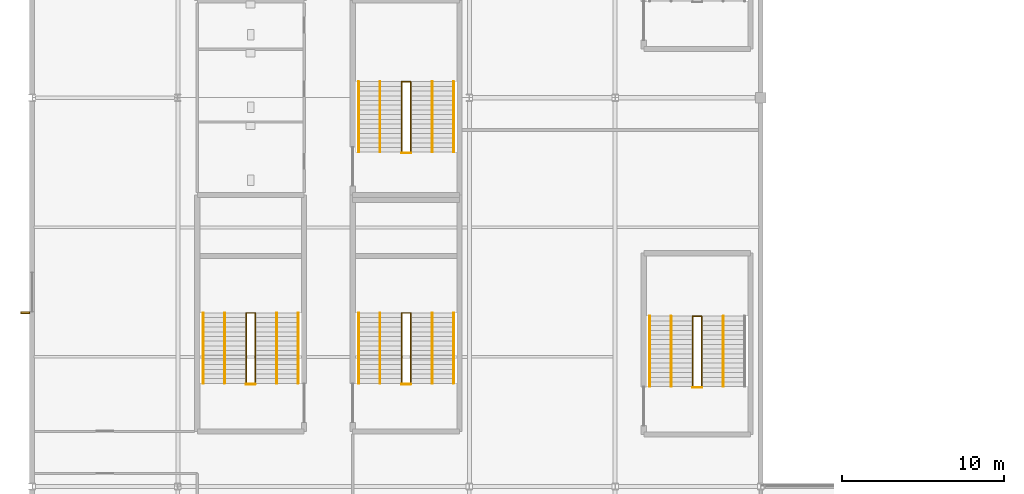
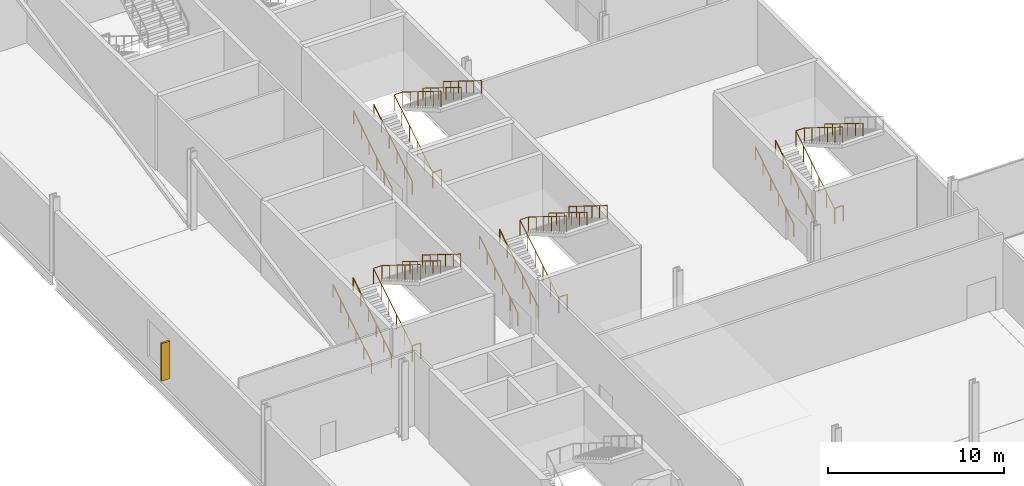
# One storey, part 97 of 113: 23 railings, 1 shading device.
"""IFC4 building model written with IfcOpenShell, lengths in metres."""

from ifc_helpers import new_model, si_unit, direction, frame, origin, origin_2d, place, context, subcontext, project, spatial, rectangle, circle, extrude, material, type_object, element, save


model = new_model("IFC4")

# Units and contexts
model_context = context("Model", 3, precision=1e-05, world=origin(), true_north=direction((0.0, 1.0)))
body_context = subcontext(model_context, "Body", "Model", "MODEL_VIEW")
ifc_project = project(units=[si_unit("LENGTHUNIT", "METRE"), si_unit("AREAUNIT", "SQUARE_METRE"), si_unit("VOLUMEUNIT", "CUBIC_METRE"), si_unit("PLANEANGLEUNIT", "RADIAN"), si_unit("MASSUNIT", "GRAM", prefix="KILO")], contexts=[model_context])

# Site, building, storey
site_placement = place(None, origin())
site = spatial("IfcSite", under=ifc_project, at=site_placement, CompositionType="ELEMENT")
building_placement = place(site_placement, origin())
building = spatial("IfcBuilding", under=site, at=building_placement, Name="Kisiwana Market Hall", CompositionType="ELEMENT")
storey_placement = place(building_placement, frame((0.0, 0.0, 6.0)))
storey = spatial("IfcBuildingStorey", under=building, at=storey_placement, Name="L01", CompositionType="ELEMENT", Elevation=6.0)

# Railings
ifc_material_1 = material(Name="Steel S275", Category="steel")
railing_type_1 = type_object("IfcRailingType", Name="RL-GUARD-1100", PredefinedType="GUARDRAIL", material=ifc_material_1)
railing_1_placement = place(storey_placement, frame((13.219970703125, 42.360107421875, 0.0)))
element("IfcRailing", 1, at=railing_1_placement, inside=storey, type_object=railing_type_1, Name="Stair ST-W3-L01 inner-well guardrail (RL-343)", PredefinedType="GUARDRAIL", context=body_context, shape_type="SweptSolid", body=[
    extrude(circle(Radius=0.02392578125, at=origin_2d()), frame((0.0, 0.0, 1.076171875), z_axis=(0.0, 0.849636482215, 0.527368797038), x_axis=(-1.0, 0.0, 0.0)), (0.0, 0.0, 1.0), 5.11962890625),
    extrude(circle(Radius=0.02392578125, at=origin_2d()), frame((0.0, 4.349853515625, 3.77587890625), z_axis=(1.0, 0.0, 0.0), x_axis=(0.0, 1.0, 0.0)), (0.0, 0.0, 1.0), 0.56005859375),
    extrude(circle(Radius=0.02392578125, at=origin_2d()), frame((0.56005859375, 4.349853515625, 3.77587890625), z_axis=(0.0, -0.849636482215, 0.527368797038), x_axis=(1.0, 0.0, 0.0)), (0.0, 0.0, 1.0), 5.11962890625),
    extrude(circle(Radius=0.02099609375, at=origin_2d()), origin(), (0.0, 0.0, 1.0), 1.052001953125),
    extrude(circle(Radius=0.02099609375, at=origin_2d()), frame((0.0, 0.869873046875, 0.5400390625)), (0.0, 0.0, 1.0), 1.052001953125),
    extrude(circle(Radius=0.02099609375, at=origin_2d()), frame((0.0, 1.739990234375, 1.080078125)), (0.0, 0.0, 1.0), 1.052001953125),
    extrude(circle(Radius=0.02099609375, at=origin_2d()), frame((0.0, 2.60986328125, 1.619873046875)), (0.0, 0.0, 1.0), 1.052001953125),
    extrude(circle(Radius=0.02099609375, at=origin_2d()), frame((0.0, 3.47998046875, 2.159912109375)), (0.0, 0.0, 1.0), 1.052001953125),
    extrude(circle(Radius=0.02099609375, at=origin_2d()), frame((0.0, 4.349853515625, 2.699951171875)), (0.0, 0.0, 1.0), 1.052001953125),
    extrude(circle(Radius=0.02099609375, at=origin_2d()), frame((0.56005859375, 4.349853515625, 2.699951171875)), (0.0, 0.0, 1.0), 1.052001953125),
    extrude(circle(Radius=0.02099609375, at=origin_2d()), frame((0.56005859375, 3.47998046875, 3.239990234375)), (0.0, 0.0, 1.0), 1.052001953125),
    extrude(circle(Radius=0.02099609375, at=origin_2d()), frame((0.56005859375, 2.60986328125, 3.780029296875)), (0.0, 0.0, 1.0), 1.052001953125),
    extrude(circle(Radius=0.02099609375, at=origin_2d()), frame((0.56005859375, 1.739990234375, 4.31982421875)), (0.0, 0.0, 1.0), 1.052001953125),
    extrude(circle(Radius=0.02099609375, at=origin_2d()), frame((0.56005859375, 0.869873046875, 4.85986328125)), (0.0, 0.0, 1.0), 1.052001953125),
    extrude(circle(Radius=0.02099609375, at=origin_2d()), frame((0.56005859375, 0.0, 5.39990234375)), (0.0, 0.0, 1.0), 1.052001953125),
])
railing_2_placement = place(storey_placement, frame((13.219970703125, 42.31005859375, 0.0)))
element("IfcRailing", 2, at=railing_2_placement, inside=storey, type_object=railing_type_1, Name="Stair ST-W3-L01 landing edge guardrail (RL-348)", PredefinedType="GUARDRAIL", context=body_context, shape_type="SweptSolid", body=[
    extrude(circle(Radius=0.02392578125, at=origin_2d()), frame((0.0, 0.0, 1.076171875), z_axis=(1.0, 0.0, 0.0), x_axis=(0.0, 1.0, 0.0)), (0.0, 0.0, 1.0), 0.56005859375),
    extrude(circle(Radius=0.02099609375, at=origin_2d()), origin(), (0.0, 0.0, 1.0), 1.052001953125),
    extrude(circle(Radius=0.02099609375, at=origin_2d()), frame((0.56005859375, 0.0, 0.0)), (0.0, 0.0, 1.0), 1.052001953125),
])
railing_3_placement = place(storey_placement, frame((22.820068359375, 42.360107421875, 0.0)))
element("IfcRailing", 3, at=railing_3_placement, inside=storey, type_object=railing_type_1, Name="Stair ST-W7-L01 inner-well guardrail (RL-367)", PredefinedType="GUARDRAIL", context=body_context, shape_type="SweptSolid", body=[
    extrude(circle(Radius=0.02392578125, at=origin_2d()), frame((0.0, 0.0, 1.076171875), z_axis=(0.0, 0.849636482215, 0.527368797038), x_axis=(-1.0, 0.0, 0.0)), (0.0, 0.0, 1.0), 5.11962890625),
    extrude(circle(Radius=0.02392578125, at=origin_2d()), frame((0.0, 4.349853515625, 3.77587890625), z_axis=(1.0, 0.0, 0.0), x_axis=(0.0, 1.0, 0.0)), (0.0, 0.0, 1.0), 0.559814453125),
    extrude(circle(Radius=0.02392578125, at=origin_2d()), frame((0.559814453125, 4.349853515625, 3.77587890625), z_axis=(0.0, -0.849636482215, 0.527368797038), x_axis=(1.0, 0.0, 0.0)), (0.0, 0.0, 1.0), 5.11962890625),
    extrude(circle(Radius=0.02099609375, at=origin_2d()), origin(), (0.0, 0.0, 1.0), 1.052001953125),
    extrude(circle(Radius=0.02099609375, at=origin_2d()), frame((0.0, 0.869873046875, 0.5400390625)), (0.0, 0.0, 1.0), 1.052001953125),
    extrude(circle(Radius=0.02099609375, at=origin_2d()), frame((0.0, 1.739990234375, 1.080078125)), (0.0, 0.0, 1.0), 1.052001953125),
    extrude(circle(Radius=0.02099609375, at=origin_2d()), frame((0.0, 2.60986328125, 1.619873046875)), (0.0, 0.0, 1.0), 1.052001953125),
    extrude(circle(Radius=0.02099609375, at=origin_2d()), frame((0.0, 3.47998046875, 2.159912109375)), (0.0, 0.0, 1.0), 1.052001953125),
    extrude(circle(Radius=0.02099609375, at=origin_2d()), frame((0.0, 4.349853515625, 2.699951171875)), (0.0, 0.0, 1.0), 1.052001953125),
    extrude(circle(Radius=0.02099609375, at=origin_2d()), frame((0.559814453125, 4.349853515625, 2.699951171875)), (0.0, 0.0, 1.0), 1.052001953125),
    extrude(circle(Radius=0.02099609375, at=origin_2d()), frame((0.559814453125, 3.47998046875, 3.239990234375)), (0.0, 0.0, 1.0), 1.052001953125),
    extrude(circle(Radius=0.02099609375, at=origin_2d()), frame((0.559814453125, 2.60986328125, 3.780029296875)), (0.0, 0.0, 1.0), 1.052001953125),
    extrude(circle(Radius=0.02099609375, at=origin_2d()), frame((0.559814453125, 1.739990234375, 4.31982421875)), (0.0, 0.0, 1.0), 1.052001953125),
    extrude(circle(Radius=0.02099609375, at=origin_2d()), frame((0.559814453125, 0.869873046875, 4.85986328125)), (0.0, 0.0, 1.0), 1.052001953125),
    extrude(circle(Radius=0.02099609375, at=origin_2d()), frame((0.559814453125, 0.0, 5.39990234375)), (0.0, 0.0, 1.0), 1.052001953125),
])
railing_4_placement = place(storey_placement, frame((22.820068359375, 42.31005859375, 0.0)))
element("IfcRailing", 4, at=railing_4_placement, inside=storey, type_object=railing_type_1, Name="Stair ST-W7-L01 landing edge guardrail (RL-372)", PredefinedType="GUARDRAIL", context=body_context, shape_type="SweptSolid", body=[
    extrude(circle(Radius=0.02392578125, at=origin_2d()), frame((0.0, 0.0, 1.076171875), z_axis=(1.0, 0.0, 0.0), x_axis=(0.0, 1.0, 0.0)), (0.0, 0.0, 1.0), 0.559814453125),
    extrude(circle(Radius=0.02099609375, at=origin_2d()), origin(), (0.0, 0.0, 1.0), 1.052001953125),
    extrude(circle(Radius=0.02099609375, at=origin_2d()), frame((0.559814453125, 0.0, 0.0)), (0.0, 0.0, 1.0), 1.052001953125),
])
railing_5_placement = place(storey_placement, frame((40.7900390625, 42.159912109375, 0.0)))
element("IfcRailing", 5, at=railing_5_placement, inside=storey, type_object=railing_type_1, Name="Stair ST-W9-L01 inner-well guardrail (RL-391)", PredefinedType="GUARDRAIL", context=body_context, shape_type="SweptSolid", body=[
    extrude(circle(Radius=0.02392578125, at=origin_2d()), frame((0.0, 0.0, 1.076171875), z_axis=(0.0, 0.849649743971, 0.527347430608), x_axis=(-1.0, 0.0, 0.0)), (0.0, 0.0, 1.0), 5.119873046875),
    extrude(circle(Radius=0.02392578125, at=origin_2d()), frame((0.0, 4.35009765625, 3.77587890625), z_axis=(1.0, 0.0, 0.0), x_axis=(0.0, 1.0, 0.0)), (0.0, 0.0, 1.0), 0.56005859375),
    extrude(circle(Radius=0.02392578125, at=origin_2d()), frame((0.56005859375, 4.35009765625, 3.77587890625), z_axis=(0.0, -0.849649743971, 0.527347430608), x_axis=(1.0, 0.0, 0.0)), (0.0, 0.0, 1.0), 5.119873046875),
    extrude(circle(Radius=0.02099609375, at=origin_2d()), origin(), (0.0, 0.0, 1.0), 1.052001953125),
    extrude(circle(Radius=0.02099609375, at=origin_2d()), frame((0.0, 0.8701171875, 0.5400390625)), (0.0, 0.0, 1.0), 1.052001953125),
    extrude(circle(Radius=0.02099609375, at=origin_2d()), frame((0.0, 1.739990234375, 1.080078125)), (0.0, 0.0, 1.0), 1.052001953125),
    extrude(circle(Radius=0.02099609375, at=origin_2d()), frame((0.0, 2.610107421875, 1.619873046875)), (0.0, 0.0, 1.0), 1.052001953125),
    extrude(circle(Radius=0.02099609375, at=origin_2d()), frame((0.0, 3.47998046875, 2.159912109375)), (0.0, 0.0, 1.0), 1.052001953125),
    extrude(circle(Radius=0.02099609375, at=origin_2d()), frame((0.0, 4.35009765625, 2.699951171875)), (0.0, 0.0, 1.0), 1.052001953125),
    extrude(circle(Radius=0.02099609375, at=origin_2d()), frame((0.56005859375, 4.35009765625, 2.699951171875)), (0.0, 0.0, 1.0), 1.052001953125),
    extrude(circle(Radius=0.02099609375, at=origin_2d()), frame((0.56005859375, 3.47998046875, 3.239990234375)), (0.0, 0.0, 1.0), 1.052001953125),
    extrude(circle(Radius=0.02099609375, at=origin_2d()), frame((0.56005859375, 2.610107421875, 3.780029296875)), (0.0, 0.0, 1.0), 1.052001953125),
    extrude(circle(Radius=0.02099609375, at=origin_2d()), frame((0.56005859375, 1.739990234375, 4.31982421875)), (0.0, 0.0, 1.0), 1.052001953125),
    extrude(circle(Radius=0.02099609375, at=origin_2d()), frame((0.56005859375, 0.8701171875, 4.85986328125)), (0.0, 0.0, 1.0), 1.052001953125),
    extrude(circle(Radius=0.02099609375, at=origin_2d()), frame((0.56005859375, 0.0, 5.39990234375)), (0.0, 0.0, 1.0), 1.052001953125),
])
railing_6_placement = place(storey_placement, frame((40.7900390625, 42.110107421875, 0.0)))
element("IfcRailing", 6, at=railing_6_placement, inside=storey, type_object=railing_type_1, Name="Stair ST-W9-L01 landing edge guardrail (RL-396)", PredefinedType="GUARDRAIL", context=body_context, shape_type="SweptSolid", body=[
    extrude(circle(Radius=0.02392578125, at=origin_2d()), frame((0.0, 0.0, 1.076171875), z_axis=(1.0, 0.0, 0.0), x_axis=(0.0, 1.0, 0.0)), (0.0, 0.0, 1.0), 0.56005859375),
    extrude(circle(Radius=0.02099609375, at=origin_2d()), origin(), (0.0, 0.0, 1.0), 1.052001953125),
    extrude(circle(Radius=0.02099609375, at=origin_2d()), frame((0.56005859375, 0.0, 0.0)), (0.0, 0.0, 1.0), 1.052001953125),
])
railing_7_placement = place(storey_placement, frame((22.820068359375, 56.639892578125, 0.0)))
element("IfcRailing", 7, at=railing_7_placement, inside=storey, type_object=railing_type_1, Name="Stair ST-W5-L01 inner-well guardrail (RL-415)", PredefinedType="GUARDRAIL", context=body_context, shape_type="SweptSolid", body=[
    extrude(circle(Radius=0.02392578125, at=origin_2d()), frame((0.0, 0.0, 1.076171875), z_axis=(0.0, 0.849649743971, 0.527347430608), x_axis=(-1.0, 0.0, 0.0)), (0.0, 0.0, 1.0), 5.119873046875),
    extrude(circle(Radius=0.02392578125, at=origin_2d()), frame((0.0, 4.35009765625, 3.77587890625), z_axis=(1.0, 0.0, 0.0), x_axis=(0.0, 1.0, 0.0)), (0.0, 0.0, 1.0), 0.559814453125),
    extrude(circle(Radius=0.02392578125, at=origin_2d()), frame((0.559814453125, 4.35009765625, 3.77587890625), z_axis=(0.0, -0.849649743971, 0.527347430608), x_axis=(1.0, 0.0, 0.0)), (0.0, 0.0, 1.0), 5.119873046875),
    extrude(circle(Radius=0.02099609375, at=origin_2d()), origin(), (0.0, 0.0, 1.0), 1.052001953125),
    extrude(circle(Radius=0.02099609375, at=origin_2d()), frame((0.0, 0.8701171875, 0.5400390625)), (0.0, 0.0, 1.0), 1.052001953125),
    extrude(circle(Radius=0.02099609375, at=origin_2d()), frame((0.0, 1.739990234375, 1.080078125)), (0.0, 0.0, 1.0), 1.052001953125),
    extrude(circle(Radius=0.02099609375, at=origin_2d()), frame((0.0, 2.610107421875, 1.619873046875)), (0.0, 0.0, 1.0), 1.052001953125),
    extrude(circle(Radius=0.02099609375, at=origin_2d()), frame((0.0, 3.47998046875, 2.159912109375)), (0.0, 0.0, 1.0), 1.052001953125),
    extrude(circle(Radius=0.02099609375, at=origin_2d()), frame((0.0, 4.35009765625, 2.699951171875)), (0.0, 0.0, 1.0), 1.052001953125),
    extrude(circle(Radius=0.02099609375, at=origin_2d()), frame((0.559814453125, 4.35009765625, 2.699951171875)), (0.0, 0.0, 1.0), 1.052001953125),
    extrude(circle(Radius=0.02099609375, at=origin_2d()), frame((0.559814453125, 3.47998046875, 3.239990234375)), (0.0, 0.0, 1.0), 1.052001953125),
    extrude(circle(Radius=0.02099609375, at=origin_2d()), frame((0.559814453125, 2.610107421875, 3.780029296875)), (0.0, 0.0, 1.0), 1.052001953125),
    extrude(circle(Radius=0.02099609375, at=origin_2d()), frame((0.559814453125, 1.739990234375, 4.31982421875)), (0.0, 0.0, 1.0), 1.052001953125),
    extrude(circle(Radius=0.02099609375, at=origin_2d()), frame((0.559814453125, 0.8701171875, 4.85986328125)), (0.0, 0.0, 1.0), 1.052001953125),
    extrude(circle(Radius=0.02099609375, at=origin_2d()), frame((0.559814453125, 0.0, 5.39990234375)), (0.0, 0.0, 1.0), 1.052001953125),
])
railing_8_placement = place(storey_placement, frame((22.820068359375, 56.590087890625, 0.0)))
element("IfcRailing", 8, at=railing_8_placement, inside=storey, type_object=railing_type_1, Name="Stair ST-W5-L01 landing edge guardrail (RL-420)", PredefinedType="GUARDRAIL", context=body_context, shape_type="SweptSolid", body=[
    extrude(circle(Radius=0.02392578125, at=origin_2d()), frame((0.0, 0.0, 1.076171875), z_axis=(1.0, 0.0, 0.0), x_axis=(0.0, 1.0, 0.0)), (0.0, 0.0, 1.0), 0.559814453125),
    extrude(circle(Radius=0.02099609375, at=origin_2d()), origin(), (0.0, 0.0, 1.0), 1.052001953125),
    extrude(circle(Radius=0.02099609375, at=origin_2d()), frame((0.559814453125, 0.0, 0.0)), (0.0, 0.0, 1.0), 1.052001953125),
])
ifc_material_2 = material(Name="Steel S275", Category="steel")
railing_type_2 = type_object("IfcRailingType", Name="RL-HAND-900", PredefinedType="HANDRAIL", material=ifc_material_2)
railing_9_placement = place(storey_placement, frame((10.570068359375, 42.360107421875, 0.0)))
element("IfcRailing", 9, at=railing_9_placement, inside=storey, type_object=railing_type_2, Name="Stair ST-W3-L01 flight 1 handrail (RL-344)", PredefinedType="HANDRAIL", context=body_context, shape_type="SweptSolid", body=[
    extrude(circle(Radius=0.02392578125, at=origin_2d()), frame((0.0, 0.0, 0.8759765625), z_axis=(0.0, 0.849636482215, 0.527368797038), x_axis=(-1.0, 0.0, 0.0)), (0.0, 0.0, 1.0), 5.11962890625),
    extrude(circle(Radius=0.02099609375, at=origin_2d()), origin(), (0.0, 0.0, 1.0), 0.851806640625),
    extrude(circle(Radius=0.02099609375, at=origin_2d()), frame((0.0, 0.869873046875, 0.5400390625)), (0.0, 0.0, 1.0), 0.851806640625),
    extrude(circle(Radius=0.02099609375, at=origin_2d()), frame((0.0, 1.739990234375, 1.080078125)), (0.0, 0.0, 1.0), 0.851806640625),
    extrude(circle(Radius=0.02099609375, at=origin_2d()), frame((0.0, 2.60986328125, 1.619873046875)), (0.0, 0.0, 1.0), 0.851806640625),
    extrude(circle(Radius=0.02099609375, at=origin_2d()), frame((0.0, 3.47998046875, 2.159912109375)), (0.0, 0.0, 1.0), 0.851806640625),
    extrude(circle(Radius=0.02099609375, at=origin_2d()), frame((0.0, 4.349853515625, 2.699951171875)), (0.0, 0.0, 1.0), 0.851806640625),
])
railing_10_placement = place(storey_placement, frame((16.429931640625, 46.7099609375, 2.699951171875)))
element("IfcRailing", 10, at=railing_10_placement, inside=storey, type_object=railing_type_2, Name="Stair ST-W3-L01 flight 2 handrail (RL-345)", PredefinedType="HANDRAIL", context=body_context, shape_type="SweptSolid", body=[
    extrude(circle(Radius=0.02392578125, at=origin_2d()), frame((0.0, 0.0, 0.8759765625), z_axis=(0.0, -0.849636482215, 0.527368797038), x_axis=(1.0, 0.0, 0.0)), (0.0, 0.0, 1.0), 5.11962890625),
    extrude(circle(Radius=0.02099609375, at=origin_2d()), origin(), (0.0, 0.0, 1.0), 0.851806640625),
    extrude(circle(Radius=0.02099609375, at=origin_2d()), frame((0.0, -0.869873046875, 0.5400390625)), (0.0, 0.0, 1.0), 0.851806640625),
    extrude(circle(Radius=0.02099609375, at=origin_2d()), frame((0.0, -1.739990234375, 1.080078125)), (0.0, 0.0, 1.0), 0.851806640625),
    extrude(circle(Radius=0.02099609375, at=origin_2d()), frame((0.0, -2.60986328125, 1.619873046875)), (0.0, 0.0, 1.0), 0.851806640625),
    extrude(circle(Radius=0.02099609375, at=origin_2d()), frame((0.0, -3.47998046875, 2.159912109375)), (0.0, 0.0, 1.0), 0.851806640625),
    extrude(circle(Radius=0.02099609375, at=origin_2d()), frame((0.0, -4.349853515625, 2.699951171875)), (0.0, 0.0, 1.0), 0.851806640625),
])
railing_11_placement = place(storey_placement, frame((11.889892578125, 42.360107421875, 0.0)))
element("IfcRailing", 11, at=railing_11_placement, inside=storey, type_object=railing_type_2, Name="Stair ST-W3-L01 flight 1 intermediate handrail (RL-346)", PredefinedType="HANDRAIL", context=body_context, shape_type="SweptSolid", body=[
    extrude(circle(Radius=0.02392578125, at=origin_2d()), frame((0.0, 0.0, 0.8759765625), z_axis=(0.0, 0.849636482215, 0.527368797038), x_axis=(-1.0, 0.0, 0.0)), (0.0, 0.0, 1.0), 5.11962890625),
    extrude(circle(Radius=0.02099609375, at=origin_2d()), origin(), (0.0, 0.0, 1.0), 0.851806640625),
    extrude(circle(Radius=0.02099609375, at=origin_2d()), frame((0.0, 0.869873046875, 0.5400390625)), (0.0, 0.0, 1.0), 0.851806640625),
    extrude(circle(Radius=0.02099609375, at=origin_2d()), frame((0.0, 1.739990234375, 1.080078125)), (0.0, 0.0, 1.0), 0.851806640625),
    extrude(circle(Radius=0.02099609375, at=origin_2d()), frame((0.0, 2.60986328125, 1.619873046875)), (0.0, 0.0, 1.0), 0.851806640625),
    extrude(circle(Radius=0.02099609375, at=origin_2d()), frame((0.0, 3.47998046875, 2.159912109375)), (0.0, 0.0, 1.0), 0.851806640625),
    extrude(circle(Radius=0.02099609375, at=origin_2d()), frame((0.0, 4.349853515625, 2.699951171875)), (0.0, 0.0, 1.0), 0.851806640625),
])
railing_12_placement = place(storey_placement, frame((15.110107421875, 46.7099609375, 2.699951171875)))
element("IfcRailing", 12, at=railing_12_placement, inside=storey, type_object=railing_type_2, Name="Stair ST-W3-L01 flight 2 intermediate handrail (RL-347)", PredefinedType="HANDRAIL", context=body_context, shape_type="SweptSolid", body=[
    extrude(circle(Radius=0.02392578125, at=origin_2d()), frame((0.0, 0.0, 0.8759765625), z_axis=(0.0, -0.849636482215, 0.527368797038), x_axis=(1.0, 0.0, 0.0)), (0.0, 0.0, 1.0), 5.11962890625),
    extrude(circle(Radius=0.02099609375, at=origin_2d()), origin(), (0.0, 0.0, 1.0), 0.851806640625),
    extrude(circle(Radius=0.02099609375, at=origin_2d()), frame((0.0, -0.869873046875, 0.5400390625)), (0.0, 0.0, 1.0), 0.851806640625),
    extrude(circle(Radius=0.02099609375, at=origin_2d()), frame((0.0, -1.739990234375, 1.080078125)), (0.0, 0.0, 1.0), 0.851806640625),
    extrude(circle(Radius=0.02099609375, at=origin_2d()), frame((0.0, -2.60986328125, 1.619873046875)), (0.0, 0.0, 1.0), 0.851806640625),
    extrude(circle(Radius=0.02099609375, at=origin_2d()), frame((0.0, -3.47998046875, 2.159912109375)), (0.0, 0.0, 1.0), 0.851806640625),
    extrude(circle(Radius=0.02099609375, at=origin_2d()), frame((0.0, -4.349853515625, 2.699951171875)), (0.0, 0.0, 1.0), 0.851806640625),
])
railing_13_placement = place(storey_placement, frame((20.169921875, 42.360107421875, 0.0)))
element("IfcRailing", 13, at=railing_13_placement, inside=storey, type_object=railing_type_2, Name="Stair ST-W7-L01 flight 1 handrail (RL-368)", PredefinedType="HANDRAIL", context=body_context, shape_type="SweptSolid", body=[
    extrude(circle(Radius=0.02392578125, at=origin_2d()), frame((0.0, 0.0, 0.8759765625), z_axis=(0.0, 0.849636482215, 0.527368797038), x_axis=(-1.0, 0.0, 0.0)), (0.0, 0.0, 1.0), 5.11962890625),
    extrude(circle(Radius=0.02099609375, at=origin_2d()), origin(), (0.0, 0.0, 1.0), 0.851806640625),
    extrude(circle(Radius=0.02099609375, at=origin_2d()), frame((0.0, 0.869873046875, 0.5400390625)), (0.0, 0.0, 1.0), 0.851806640625),
    extrude(circle(Radius=0.02099609375, at=origin_2d()), frame((0.0, 1.739990234375, 1.080078125)), (0.0, 0.0, 1.0), 0.851806640625),
    extrude(circle(Radius=0.02099609375, at=origin_2d()), frame((0.0, 2.60986328125, 1.619873046875)), (0.0, 0.0, 1.0), 0.851806640625),
    extrude(circle(Radius=0.02099609375, at=origin_2d()), frame((0.0, 3.47998046875, 2.159912109375)), (0.0, 0.0, 1.0), 0.851806640625),
    extrude(circle(Radius=0.02099609375, at=origin_2d()), frame((0.0, 4.349853515625, 2.699951171875)), (0.0, 0.0, 1.0), 0.851806640625),
])
railing_14_placement = place(storey_placement, frame((26.030029296875, 46.7099609375, 2.699951171875)))
element("IfcRailing", 14, at=railing_14_placement, inside=storey, type_object=railing_type_2, Name="Stair ST-W7-L01 flight 2 handrail (RL-369)", PredefinedType="HANDRAIL", context=body_context, shape_type="SweptSolid", body=[
    extrude(circle(Radius=0.02392578125, at=origin_2d()), frame((0.0, 0.0, 0.8759765625), z_axis=(0.0, -0.849636482215, 0.527368797038), x_axis=(1.0, 0.0, 0.0)), (0.0, 0.0, 1.0), 5.11962890625),
    extrude(circle(Radius=0.02099609375, at=origin_2d()), origin(), (0.0, 0.0, 1.0), 0.851806640625),
    extrude(circle(Radius=0.02099609375, at=origin_2d()), frame((0.0, -0.869873046875, 0.5400390625)), (0.0, 0.0, 1.0), 0.851806640625),
    extrude(circle(Radius=0.02099609375, at=origin_2d()), frame((0.0, -1.739990234375, 1.080078125)), (0.0, 0.0, 1.0), 0.851806640625),
    extrude(circle(Radius=0.02099609375, at=origin_2d()), frame((0.0, -2.60986328125, 1.619873046875)), (0.0, 0.0, 1.0), 0.851806640625),
    extrude(circle(Radius=0.02099609375, at=origin_2d()), frame((0.0, -3.47998046875, 2.159912109375)), (0.0, 0.0, 1.0), 0.851806640625),
    extrude(circle(Radius=0.02099609375, at=origin_2d()), frame((0.0, -4.349853515625, 2.699951171875)), (0.0, 0.0, 1.0), 0.851806640625),
])
railing_15_placement = place(storey_placement, frame((21.489990234375, 42.360107421875, 0.0)))
element("IfcRailing", 15, at=railing_15_placement, inside=storey, type_object=railing_type_2, Name="Stair ST-W7-L01 flight 1 intermediate handrail (RL-370)", PredefinedType="HANDRAIL", context=body_context, shape_type="SweptSolid", body=[
    extrude(circle(Radius=0.02392578125, at=origin_2d()), frame((0.0, 0.0, 0.8759765625), z_axis=(0.0, 0.849636482215, 0.527368797038), x_axis=(-1.0, 0.0, 0.0)), (0.0, 0.0, 1.0), 5.11962890625),
    extrude(circle(Radius=0.02099609375, at=origin_2d()), origin(), (0.0, 0.0, 1.0), 0.851806640625),
    extrude(circle(Radius=0.02099609375, at=origin_2d()), frame((0.0, 0.869873046875, 0.5400390625)), (0.0, 0.0, 1.0), 0.851806640625),
    extrude(circle(Radius=0.02099609375, at=origin_2d()), frame((0.0, 1.739990234375, 1.080078125)), (0.0, 0.0, 1.0), 0.851806640625),
    extrude(circle(Radius=0.02099609375, at=origin_2d()), frame((0.0, 2.60986328125, 1.619873046875)), (0.0, 0.0, 1.0), 0.851806640625),
    extrude(circle(Radius=0.02099609375, at=origin_2d()), frame((0.0, 3.47998046875, 2.159912109375)), (0.0, 0.0, 1.0), 0.851806640625),
    extrude(circle(Radius=0.02099609375, at=origin_2d()), frame((0.0, 4.349853515625, 2.699951171875)), (0.0, 0.0, 1.0), 0.851806640625),
])
railing_16_placement = place(storey_placement, frame((24.7099609375, 46.7099609375, 2.699951171875)))
element("IfcRailing", 16, at=railing_16_placement, inside=storey, type_object=railing_type_2, Name="Stair ST-W7-L01 flight 2 intermediate handrail (RL-371)", PredefinedType="HANDRAIL", context=body_context, shape_type="SweptSolid", body=[
    extrude(circle(Radius=0.02392578125, at=origin_2d()), frame((0.0, 0.0, 0.8759765625), z_axis=(0.0, -0.849636482215, 0.527368797038), x_axis=(1.0, 0.0, 0.0)), (0.0, 0.0, 1.0), 5.11962890625),
    extrude(circle(Radius=0.02099609375, at=origin_2d()), origin(), (0.0, 0.0, 1.0), 0.851806640625),
    extrude(circle(Radius=0.02099609375, at=origin_2d()), frame((0.0, -0.869873046875, 0.5400390625)), (0.0, 0.0, 1.0), 0.851806640625),
    extrude(circle(Radius=0.02099609375, at=origin_2d()), frame((0.0, -1.739990234375, 1.080078125)), (0.0, 0.0, 1.0), 0.851806640625),
    extrude(circle(Radius=0.02099609375, at=origin_2d()), frame((0.0, -2.60986328125, 1.619873046875)), (0.0, 0.0, 1.0), 0.851806640625),
    extrude(circle(Radius=0.02099609375, at=origin_2d()), frame((0.0, -3.47998046875, 2.159912109375)), (0.0, 0.0, 1.0), 0.851806640625),
    extrude(circle(Radius=0.02099609375, at=origin_2d()), frame((0.0, -4.349853515625, 2.699951171875)), (0.0, 0.0, 1.0), 0.851806640625),
])
for number, where, name in (
    (17, (38.139892578125, 42.159912109375, 0.0), "Stair ST-W9-L01 flight 1 handrail (RL-392)"),
    (18, (39.4599609375, 42.159912109375, 0.0), "Stair ST-W9-L01 flight 1 intermediate handrail (RL-394)"),
):
    element("IfcRailing", number, at=place(storey_placement, frame(where)), inside=storey, type_object=railing_type_2, Name=name, PredefinedType="HANDRAIL", context=body_context, shape_type="SweptSolid", body=[
        extrude(circle(Radius=0.02392578125, at=origin_2d()), frame((0.0, 0.0, 0.8759765625), z_axis=(0.0, 0.849649743971, 0.527347430608), x_axis=(-1.0, 0.0, 0.0)), (0.0, 0.0, 1.0), 5.119873046875),
        extrude(circle(Radius=0.02099609375, at=origin_2d()), origin(), (0.0, 0.0, 1.0), 0.851806640625),
        extrude(circle(Radius=0.02099609375, at=origin_2d()), frame((0.0, 0.8701171875, 0.5400390625)), (0.0, 0.0, 1.0), 0.851806640625),
        extrude(circle(Radius=0.02099609375, at=origin_2d()), frame((0.0, 1.739990234375, 1.080078125)), (0.0, 0.0, 1.0), 0.851806640625),
        extrude(circle(Radius=0.02099609375, at=origin_2d()), frame((0.0, 2.610107421875, 1.619873046875)), (0.0, 0.0, 1.0), 0.851806640625),
        extrude(circle(Radius=0.02099609375, at=origin_2d()), frame((0.0, 3.47998046875, 2.159912109375)), (0.0, 0.0, 1.0), 0.851806640625),
        extrude(circle(Radius=0.02099609375, at=origin_2d()), frame((0.0, 4.35009765625, 2.699951171875)), (0.0, 0.0, 1.0), 0.851806640625),
    ])
railing_17_placement = place(storey_placement, frame((42.679931640625, 46.510009765625, 2.699951171875)))
element("IfcRailing", 19, at=railing_17_placement, inside=storey, type_object=railing_type_2, Name="Stair ST-W9-L01 flight 2 intermediate handrail (RL-395)", PredefinedType="HANDRAIL", context=body_context, shape_type="SweptSolid", body=[
    extrude(circle(Radius=0.02392578125, at=origin_2d()), frame((0.0, 0.0, 0.8759765625), z_axis=(0.0, -0.849649743971, 0.527347430608), x_axis=(1.0, 0.0, 0.0)), (0.0, 0.0, 1.0), 5.119873046875),
    extrude(circle(Radius=0.02099609375, at=origin_2d()), origin(), (0.0, 0.0, 1.0), 0.851806640625),
    extrude(circle(Radius=0.02099609375, at=origin_2d()), frame((0.0, -0.8701171875, 0.5400390625)), (0.0, 0.0, 1.0), 0.851806640625),
    extrude(circle(Radius=0.02099609375, at=origin_2d()), frame((0.0, -1.739990234375, 1.080078125)), (0.0, 0.0, 1.0), 0.851806640625),
    extrude(circle(Radius=0.02099609375, at=origin_2d()), frame((0.0, -2.610107421875, 1.619873046875)), (0.0, 0.0, 1.0), 0.851806640625),
    extrude(circle(Radius=0.02099609375, at=origin_2d()), frame((0.0, -3.47998046875, 2.159912109375)), (0.0, 0.0, 1.0), 0.851806640625),
    extrude(circle(Radius=0.02099609375, at=origin_2d()), frame((0.0, -4.35009765625, 2.699951171875)), (0.0, 0.0, 1.0), 0.851806640625),
])
railing_18_placement = place(storey_placement, frame((20.169921875, 56.639892578125, 0.0)))
element("IfcRailing", 20, at=railing_18_placement, inside=storey, type_object=railing_type_2, Name="Stair ST-W5-L01 flight 1 handrail (RL-416)", PredefinedType="HANDRAIL", context=body_context, shape_type="SweptSolid", body=[
    extrude(circle(Radius=0.02392578125, at=origin_2d()), frame((0.0, 0.0, 0.8759765625), z_axis=(0.0, 0.849649743971, 0.527347430608), x_axis=(-1.0, 0.0, 0.0)), (0.0, 0.0, 1.0), 5.119873046875),
    extrude(circle(Radius=0.02099609375, at=origin_2d()), origin(), (0.0, 0.0, 1.0), 0.851806640625),
    extrude(circle(Radius=0.02099609375, at=origin_2d()), frame((0.0, 0.8701171875, 0.5400390625)), (0.0, 0.0, 1.0), 0.851806640625),
    extrude(circle(Radius=0.02099609375, at=origin_2d()), frame((0.0, 1.739990234375, 1.080078125)), (0.0, 0.0, 1.0), 0.851806640625),
    extrude(circle(Radius=0.02099609375, at=origin_2d()), frame((0.0, 2.610107421875, 1.619873046875)), (0.0, 0.0, 1.0), 0.851806640625),
    extrude(circle(Radius=0.02099609375, at=origin_2d()), frame((0.0, 3.47998046875, 2.159912109375)), (0.0, 0.0, 1.0), 0.851806640625),
    extrude(circle(Radius=0.02099609375, at=origin_2d()), frame((0.0, 4.35009765625, 2.699951171875)), (0.0, 0.0, 1.0), 0.851806640625),
])
railing_19_placement = place(storey_placement, frame((26.030029296875, 60.989990234375, 2.699951171875)))
element("IfcRailing", 21, at=railing_19_placement, inside=storey, type_object=railing_type_2, Name="Stair ST-W5-L01 flight 2 handrail (RL-417)", PredefinedType="HANDRAIL", context=body_context, shape_type="SweptSolid", body=[
    extrude(circle(Radius=0.02392578125, at=origin_2d()), frame((0.0, 0.0, 0.8759765625), z_axis=(0.0, -0.849649743971, 0.527347430608), x_axis=(1.0, 0.0, 0.0)), (0.0, 0.0, 1.0), 5.119873046875),
    extrude(circle(Radius=0.02099609375, at=origin_2d()), origin(), (0.0, 0.0, 1.0), 0.851806640625),
    extrude(circle(Radius=0.02099609375, at=origin_2d()), frame((0.0, -0.8701171875, 0.5400390625)), (0.0, 0.0, 1.0), 0.851806640625),
    extrude(circle(Radius=0.02099609375, at=origin_2d()), frame((0.0, -1.739990234375, 1.080078125)), (0.0, 0.0, 1.0), 0.851806640625),
    extrude(circle(Radius=0.02099609375, at=origin_2d()), frame((0.0, -2.610107421875, 1.619873046875)), (0.0, 0.0, 1.0), 0.851806640625),
    extrude(circle(Radius=0.02099609375, at=origin_2d()), frame((0.0, -3.47998046875, 2.159912109375)), (0.0, 0.0, 1.0), 0.851806640625),
    extrude(circle(Radius=0.02099609375, at=origin_2d()), frame((0.0, -4.35009765625, 2.699951171875)), (0.0, 0.0, 1.0), 0.851806640625),
])
railing_20_placement = place(storey_placement, frame((21.489990234375, 56.639892578125, 0.0)))
element("IfcRailing", 22, at=railing_20_placement, inside=storey, type_object=railing_type_2, Name="Stair ST-W5-L01 flight 1 intermediate handrail (RL-418)", PredefinedType="HANDRAIL", context=body_context, shape_type="SweptSolid", body=[
    extrude(circle(Radius=0.02392578125, at=origin_2d()), frame((0.0, 0.0, 0.8759765625), z_axis=(0.0, 0.849649743971, 0.527347430608), x_axis=(-1.0, 0.0, 0.0)), (0.0, 0.0, 1.0), 5.119873046875),
    extrude(circle(Radius=0.02099609375, at=origin_2d()), origin(), (0.0, 0.0, 1.0), 0.851806640625),
    extrude(circle(Radius=0.02099609375, at=origin_2d()), frame((0.0, 0.8701171875, 0.5400390625)), (0.0, 0.0, 1.0), 0.851806640625),
    extrude(circle(Radius=0.02099609375, at=origin_2d()), frame((0.0, 1.739990234375, 1.080078125)), (0.0, 0.0, 1.0), 0.851806640625),
    extrude(circle(Radius=0.02099609375, at=origin_2d()), frame((0.0, 2.610107421875, 1.619873046875)), (0.0, 0.0, 1.0), 0.851806640625),
    extrude(circle(Radius=0.02099609375, at=origin_2d()), frame((0.0, 3.47998046875, 2.159912109375)), (0.0, 0.0, 1.0), 0.851806640625),
    extrude(circle(Radius=0.02099609375, at=origin_2d()), frame((0.0, 4.35009765625, 2.699951171875)), (0.0, 0.0, 1.0), 0.851806640625),
])
railing_21_placement = place(storey_placement, frame((24.7099609375, 60.989990234375, 2.699951171875)))
element("IfcRailing", 23, at=railing_21_placement, inside=storey, type_object=railing_type_2, Name="Stair ST-W5-L01 flight 2 intermediate handrail (RL-419)", PredefinedType="HANDRAIL", context=body_context, shape_type="SweptSolid", body=[
    extrude(circle(Radius=0.02392578125, at=origin_2d()), frame((0.0, 0.0, 0.8759765625), z_axis=(0.0, -0.849649743971, 0.527347430608), x_axis=(1.0, 0.0, 0.0)), (0.0, 0.0, 1.0), 5.119873046875),
    extrude(circle(Radius=0.02099609375, at=origin_2d()), origin(), (0.0, 0.0, 1.0), 0.851806640625),
    extrude(circle(Radius=0.02099609375, at=origin_2d()), frame((0.0, -0.8701171875, 0.5400390625)), (0.0, 0.0, 1.0), 0.851806640625),
    extrude(circle(Radius=0.02099609375, at=origin_2d()), frame((0.0, -1.739990234375, 1.080078125)), (0.0, 0.0, 1.0), 0.851806640625),
    extrude(circle(Radius=0.02099609375, at=origin_2d()), frame((0.0, -2.610107421875, 1.619873046875)), (0.0, 0.0, 1.0), 0.851806640625),
    extrude(circle(Radius=0.02099609375, at=origin_2d()), frame((0.0, -3.47998046875, 2.159912109375)), (0.0, 0.0, 1.0), 0.851806640625),
    extrude(circle(Radius=0.02099609375, at=origin_2d()), frame((0.0, -4.35009765625, 2.699951171875)), (0.0, 0.0, 1.0), 0.851806640625),
])

# Shading device
ifc_material_3 = material(Name="Aluminium alloy 6063-T6", Category="aluminium")
shading_device_type = type_object("IfcShadingDeviceType", Name="SHD-SHUTTER-V", PredefinedType="SHUTTER", material=ifc_material_3)
shading_device_placement = place(storey_placement, frame((-0.419921875, 46.719970703125, 0.849853515625), z_axis=(0.0, 0.0, 1.0), x_axis=(0.0, 1.0, 0.0)))
element("IfcShadingDevice", 24, at=shading_device_placement, inside=storey, type_object=shading_device_type, Name="Vertical solar fin SHD-030 SD-030", PredefinedType="SHUTTER", context=body_context, shape_type="SweptSolid", body=[
    extrude(rectangle(XDim=0.1201171875, YDim=0.550048828125, at=origin_2d()), origin(), (0.0, 0.0, 1.0), 2.60009765625),
])

save(model, "model.ifc")
